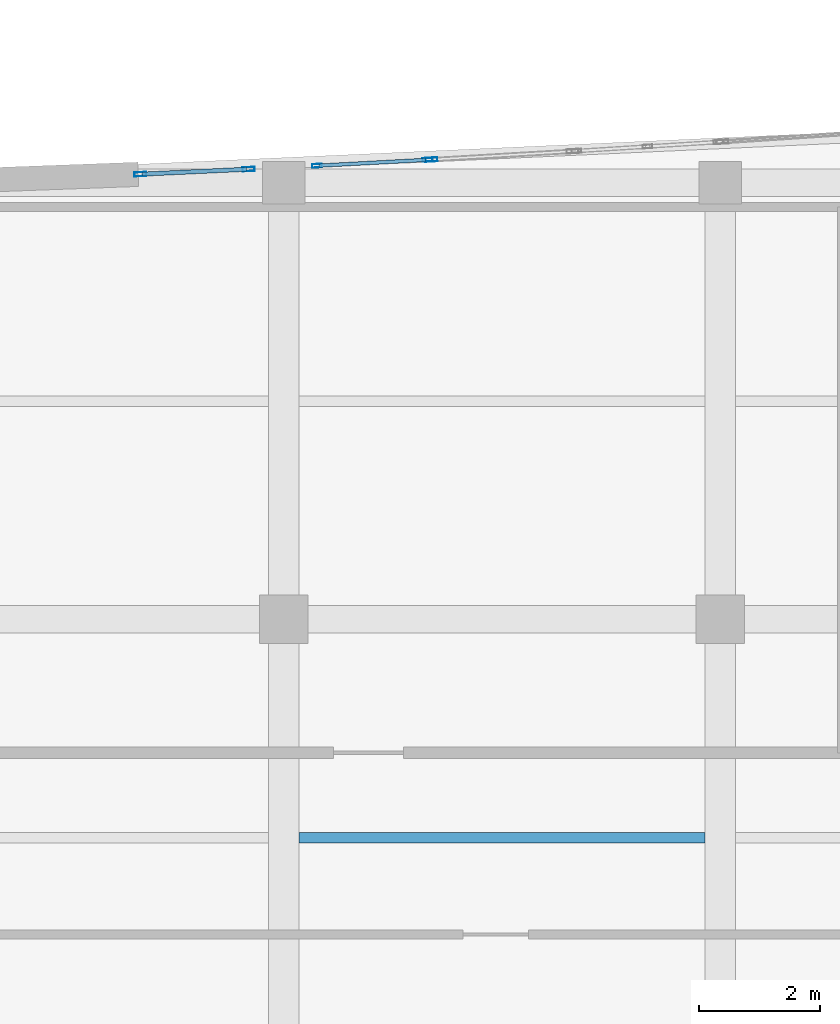
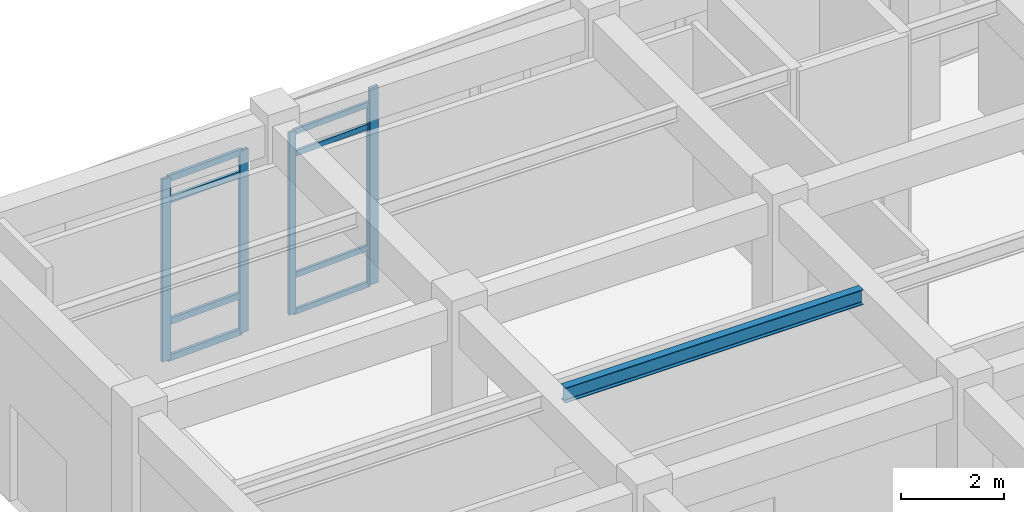
# One storey, part 24 of 102: 13 members, 1 beam, 3 elements without a shape of their own.
"""IFC4 building model written with IfcOpenShell, lengths in metres."""

from ifc_helpers import new_model, si_unit, direction, frame, origin, origin_2d, place, context, subcontext, project, spatial, hollow_rectangle, i_section, extrude, material, layer, layer_set, material_profile, profile_set, type_object, element, aggregate, save


model = new_model("IFC4")

# Units and contexts
model_context = context("Model", 3, precision=1e-05, world=origin(), true_north=direction((0.0, 1.0)))
body_context = subcontext(model_context, "Body", "Model", "MODEL_VIEW")
ifc_project = project(units=[si_unit("LENGTHUNIT", "METRE"), si_unit("AREAUNIT", "SQUARE_METRE"), si_unit("VOLUMEUNIT", "CUBIC_METRE"), si_unit("PLANEANGLEUNIT", "RADIAN"), si_unit("MASSUNIT", "GRAM", prefix="KILO")], contexts=[model_context])

# Site, building, storey
site_placement = place(None, origin())
site = spatial("IfcSite", under=ifc_project, at=site_placement, CompositionType="ELEMENT")
building_placement = place(site_placement, origin())
building = spatial("IfcBuilding", under=site, at=building_placement, Name="Carrowvane Square Congress Hotel", CompositionType="ELEMENT")
storey_placement = place(building_placement, origin())
storey = spatial("IfcBuildingStorey", under=building, at=storey_placement, Name="L00", CompositionType="ELEMENT", Elevation=0.0)

# Beam
ifc_material_1 = material(Name="Steel S355", Category="steel")
ifc_material_profile_1 = material_profile(ifc_material_1, i_section(OverallWidth=0.172119140625, OverallDepth=0.35791015625, WebThickness=0.008056640625, FlangeThickness=0.012939453125, FilletRadius=0.01025390625, at=origin_2d()), Name="UKB 356x171x57")
ifc_profile_set_1 = profile_set([ifc_material_profile_1], Name="Steel S355")
beam_type = type_object("IfcBeamType", Name="BM-ST-UKB356", PredefinedType="JOIST", material=ifc_profile_set_1)
beam_placement = place(storey_placement, frame((40.64990234375, 102.60009765625, 4.9208984375), z_axis=(1.0, 0.0, 0.0), x_axis=(0.0, 1.0, 0.0)))
element("IfcBeam", 1, at=beam_placement, inside=storey, type_object=beam_type, Name="L01 secondary joist 5-6", PredefinedType="JOIST", context=body_context, shape_type="SweptSolid", body=[
    extrude(i_section(OverallWidth=0.172119140625, OverallDepth=0.35791015625, WebThickness=0.008056640625, FlangeThickness=0.012939453125, FilletRadius=0.01025390625, at=origin_2d()), origin(), (0.0, 0.0, 1.0), 6.7001953125),
])

# Curtain wall, members
ifc_material_2 = material(Name="Anodised aluminium", Category="aluminium")
ifc_layer_1 = layer(ifc_material_2, 0.18603515625)
ifc_layer_set_1 = layer_set([ifc_layer_1], Name="Anodised aluminium")
curtain_wall_type_1 = type_object("IfcCurtainWallType", Name="CW-SYS-3", PredefinedType="NOTDEFINED", material=ifc_layer_set_1)
curtain_wall_1_placement = place(storey_placement, origin())
curtain_wall_1 = element("IfcCurtainWall", 2, at=curtain_wall_1_placement, inside=storey, type_object=curtain_wall_type_1, Name="L00 unitised curtain wall 2", PredefinedType="NOTDEFINED")
ifc_material_3 = material(Name="Anodised aluminium", Category="aluminium")
ifc_material_profile_2 = material_profile(ifc_material_3, hollow_rectangle(XDim=0.06005859375, YDim=0.159912109375, WallThickness=0.00390625, at=origin_2d()), Name="CW-ML 60x160x4")
ifc_profile_set_2 = profile_set([ifc_material_profile_2], Name="Anodised aluminium")
member_type_1 = type_object("IfcMemberType", Name="CW-MUL-1", PredefinedType="MULLION", material=ifc_profile_set_2)
member_1_placement = place(storey_placement, frame((40.948974609375, 113.68212890625, 0.0), z_axis=(0.0, 0.0, 1.0), x_axis=(-0.053514573083, 0.998567068588, 0.0)))
member_1 = element("IfcMember", 3, at=member_1_placement, type_object=member_type_1, Name="CW-3 mullion 1", PredefinedType="MULLION", context=body_context, shape_type="SweptSolid", body=[
    extrude(hollow_rectangle(XDim=0.06005859375, YDim=0.159912109375, WallThickness=0.00390625, at=origin_2d()), origin(), (0.0, 0.0, 1.0), 4.3349609375),
])
member_2_placement = place(storey_placement, frame((42.77001953125, 113.77978515625, 0.0), z_axis=(0.0, 0.0, 1.0), x_axis=(-0.053514573083, 0.998567068588, 0.0)))
member_2 = element("IfcMember", 4, at=member_2_placement, type_object=member_type_1, Name="CW-3 mullion 2", PredefinedType="MULLION", context=body_context, shape_type="SweptSolid", body=[
    extrude(hollow_rectangle(XDim=0.06005859375, YDim=0.159912109375, WallThickness=0.00390625, at=origin_2d()), origin(), (0.0, 0.0, 1.0), 4.3349609375),
])

ifc_material_4 = material(Name="Anodised aluminium", Category="aluminium")
ifc_layer_2 = layer(ifc_material_4, 0.174072265625)
ifc_layer_set_2 = layer_set([ifc_layer_2], Name="Anodised aluminium")
curtain_wall_type_2 = type_object("IfcCurtainWallType", Name="CW-SYS-2", PredefinedType="NOTDEFINED", material=ifc_layer_set_2)
curtain_wall_2_placement = place(storey_placement, origin())
curtain_wall_2 = element("IfcCurtainWall", 5, at=curtain_wall_2_placement, inside=storey, type_object=curtain_wall_type_2, Name="L00 unitised curtain wall 1", PredefinedType="NOTDEFINED")
ifc_material_5 = material(Name="Anodised aluminium", Category="aluminium")
ifc_material_profile_3 = material_profile(ifc_material_5, hollow_rectangle(XDim=0.070068359375, YDim=0.199951171875, WallThickness=0.0048828125, at=origin_2d()), Name="CW-ML 70x200x5")
ifc_profile_set_3 = profile_set([ifc_material_profile_3], Name="Anodised aluminium")
member_type_2 = type_object("IfcMemberType", Name="CW-MUL-2", PredefinedType="MULLION", material=ifc_profile_set_3)
member_3_placement = place(storey_placement, frame((38.034912109375, 113.54248046875, 0.0), z_axis=(0.0, 0.0, 1.0), x_axis=(-0.04651698979, 0.998917498926, 0.0)))
member_3 = element("IfcMember", 6, at=member_3_placement, type_object=member_type_2, Name="CW-2 mullion 1", PredefinedType="MULLION", context=body_context, shape_type="SweptSolid", body=[
    extrude(hollow_rectangle(XDim=0.070068359375, YDim=0.199951171875, WallThickness=0.0048828125, at=origin_2d()), origin(), (0.0, 0.0, 1.0), 4.3349609375),
])
member_4_placement = place(storey_placement, frame((39.820556640625, 113.625732421875, 0.0), z_axis=(0.0, 0.0, 1.0), x_axis=(-0.04651698979, 0.998917498926, 0.0)))
member_4 = element("IfcMember", 7, at=member_4_placement, type_object=member_type_2, Name="CW-2 mullion 2", PredefinedType="MULLION", context=body_context, shape_type="SweptSolid", body=[
    extrude(hollow_rectangle(XDim=0.070068359375, YDim=0.199951171875, WallThickness=0.0048828125, at=origin_2d()), origin(), (0.0, 0.0, 1.0), 4.3349609375),
])

# Curtain wall, member
ifc_material_6 = material(Name="Anodised aluminium", Category="aluminium")
ifc_layer_3 = layer(ifc_material_6, 0.197998046875)
ifc_layer_set_3 = layer_set([ifc_layer_3], Name="Anodised aluminium")
curtain_wall_type_3 = type_object("IfcCurtainWallType", Name="CW-SYS-4", PredefinedType="NOTDEFINED", material=ifc_layer_set_3)
curtain_wall_3_placement = place(storey_placement, origin())
curtain_wall_3 = element("IfcCurtainWall", 8, at=curtain_wall_3_placement, inside=storey, type_object=curtain_wall_type_3, Name="L00 unitised curtain wall 3", PredefinedType="NOTDEFINED")
member_5_placement = place(storey_placement, frame((42.8349609375, 113.783447265625, 0.0), z_axis=(0.0, 0.0, 1.0), x_axis=(-0.058988522254, 0.99825866099, 0.0)))
member_5 = element("IfcMember", 9, at=member_5_placement, type_object=member_type_2, Name="CW-4 mullion 1", PredefinedType="MULLION", context=body_context, shape_type="SweptSolid", body=[
    extrude(hollow_rectangle(XDim=0.070068359375, YDim=0.199951171875, WallThickness=0.0048828125, at=origin_2d()), origin(), (0.0, 0.0, 1.0), 4.675537109375),
])
aggregate(curtain_wall_3, [member_5])

# Member
ifc_material_7 = material(Name="Anodised aluminium", Category="aluminium")
ifc_material_profile_4 = material_profile(ifc_material_7, hollow_rectangle(XDim=0.06005859375, YDim=0.1298828125, WallThickness=0.00390625, at=origin_2d()), Name="CW-TR 60x130x4")
ifc_profile_set_4 = profile_set([ifc_material_profile_4], Name="Anodised aluminium")
member_type_3 = type_object("IfcMemberType", Name="CW-TRN-1", PredefinedType="USERDEFINED", material=ifc_profile_set_4)
member_6_placement = place(storey_placement, frame((40.97900390625, 113.683837890625, 0.030029296875), z_axis=(0.998571167987, 0.053438024517, 0.0), x_axis=(-0.053438024517, 0.998571167987, 0.0)))
member_6 = element("IfcMember", 10, at=member_6_placement, type_object=member_type_3, Name="CW-3 transom 1.1", ObjectType="TRANSOM", PredefinedType="USERDEFINED", context=body_context, shape_type="SweptSolid", body=[
    extrude(hollow_rectangle(XDim=0.06005859375, YDim=0.1298828125, WallThickness=0.00390625, at=origin_2d()), origin(), (0.0, 0.0, 1.0), 1.763427734375),
])

member_7_placement = place(storey_placement, frame((40.97900390625, 113.683837890625, 0.89990234375), z_axis=(0.998571167987, 0.053438024517, 0.0), x_axis=(-0.053438024517, 0.998571167987, 0.0)))
member_7 = element("IfcMember", 11, at=member_7_placement, type_object=member_type_3, Name="CW-3 transom 1.2", ObjectType="TRANSOM", PredefinedType="USERDEFINED", context=body_context, shape_type="SweptSolid", body=[
    extrude(hollow_rectangle(XDim=0.06005859375, YDim=0.1298828125, WallThickness=0.00390625, at=origin_2d()), origin(), (0.0, 0.0, 1.0), 1.763427734375),
])

member_8_placement = place(storey_placement, frame((40.97900390625, 113.683837890625, 3.784912109375), z_axis=(0.998571167987, 0.053438024517, 0.0), x_axis=(-0.053438024517, 0.998571167987, 0.0)))
member_8 = element("IfcMember", 12, at=member_8_placement, type_object=member_type_3, Name="CW-3 transom 1.3", ObjectType="TRANSOM", PredefinedType="USERDEFINED", context=body_context, shape_type="SweptSolid", body=[
    extrude(hollow_rectangle(XDim=0.06005859375, YDim=0.1298828125, WallThickness=0.00390625, at=origin_2d()), origin(), (0.0, 0.0, 1.0), 1.763427734375),
])

member_9_placement = place(storey_placement, frame((40.97900390625, 113.683837890625, 4.304931640625), z_axis=(0.998571167987, 0.053438024517, 0.0), x_axis=(-0.053438024517, 0.998571167987, 0.0)))
member_9 = element("IfcMember", 13, at=member_9_placement, type_object=member_type_3, Name="CW-3 transom 1.4", ObjectType="TRANSOM", PredefinedType="USERDEFINED", context=body_context, shape_type="SweptSolid", body=[
    extrude(hollow_rectangle(XDim=0.06005859375, YDim=0.1298828125, WallThickness=0.00390625, at=origin_2d()), origin(), (0.0, 0.0, 1.0), 1.763427734375),
])

aggregate(curtain_wall_1, [member_1, member_2, member_6, member_7, member_8, member_9])

ifc_material_8 = material(Name="Anodised aluminium", Category="aluminium")
ifc_material_profile_5 = material_profile(ifc_material_8, hollow_rectangle(XDim=0.070068359375, YDim=0.14990234375, WallThickness=0.0048828125, at=origin_2d()), Name="CW-TR 70x150x5")
ifc_profile_set_5 = profile_set([ifc_material_profile_5], Name="Anodised aluminium")
member_type_4 = type_object("IfcMemberType", Name="CW-TRN-2", PredefinedType="USERDEFINED", material=ifc_profile_set_5)
member_10_placement = place(storey_placement, frame((38.06982421875, 113.544189453125, 0.034912109375), z_axis=(0.998919318893, 0.046477890905, 0.0), x_axis=(-0.046477890905, 0.998919318893, 0.0)))
member_10 = element("IfcMember", 14, at=member_10_placement, type_object=member_type_4, Name="CW-2 transom 1.1", ObjectType="TRANSOM", PredefinedType="USERDEFINED", context=body_context, shape_type="SweptSolid", body=[
    extrude(hollow_rectangle(XDim=0.070068359375, YDim=0.14990234375, WallThickness=0.0048828125, at=origin_2d()), origin(), (0.0, 0.0, 1.0), 1.7177734375),
])

member_11_placement = place(storey_placement, frame((38.06982421875, 113.544189453125, 0.89990234375), z_axis=(0.998919318893, 0.046477890905, 0.0), x_axis=(-0.046477890905, 0.998919318893, 0.0)))
member_11 = element("IfcMember", 15, at=member_11_placement, type_object=member_type_4, Name="CW-2 transom 1.2", ObjectType="TRANSOM", PredefinedType="USERDEFINED", context=body_context, shape_type="SweptSolid", body=[
    extrude(hollow_rectangle(XDim=0.070068359375, YDim=0.14990234375, WallThickness=0.0048828125, at=origin_2d()), origin(), (0.0, 0.0, 1.0), 1.7177734375),
])

member_12_placement = place(storey_placement, frame((38.06982421875, 113.544189453125, 3.784912109375), z_axis=(0.998919318893, 0.046477890905, 0.0), x_axis=(-0.046477890905, 0.998919318893, 0.0)))
member_12 = element("IfcMember", 16, at=member_12_placement, type_object=member_type_4, Name="CW-2 transom 1.3", ObjectType="TRANSOM", PredefinedType="USERDEFINED", context=body_context, shape_type="SweptSolid", body=[
    extrude(hollow_rectangle(XDim=0.070068359375, YDim=0.14990234375, WallThickness=0.0048828125, at=origin_2d()), origin(), (0.0, 0.0, 1.0), 1.7177734375),
])

member_13_placement = place(storey_placement, frame((38.06982421875, 113.544189453125, 4.300048828125), z_axis=(0.998919318893, 0.046477890905, 0.0), x_axis=(-0.046477890905, 0.998919318893, 0.0)))
member_13 = element("IfcMember", 17, at=member_13_placement, type_object=member_type_4, Name="CW-2 transom 1.4", ObjectType="TRANSOM", PredefinedType="USERDEFINED", context=body_context, shape_type="SweptSolid", body=[
    extrude(hollow_rectangle(XDim=0.070068359375, YDim=0.14990234375, WallThickness=0.0048828125, at=origin_2d()), origin(), (0.0, 0.0, 1.0), 1.7177734375),
])

aggregate(curtain_wall_2, [member_3, member_4, member_10, member_11, member_12, member_13])

save(model, "model.ifc")
